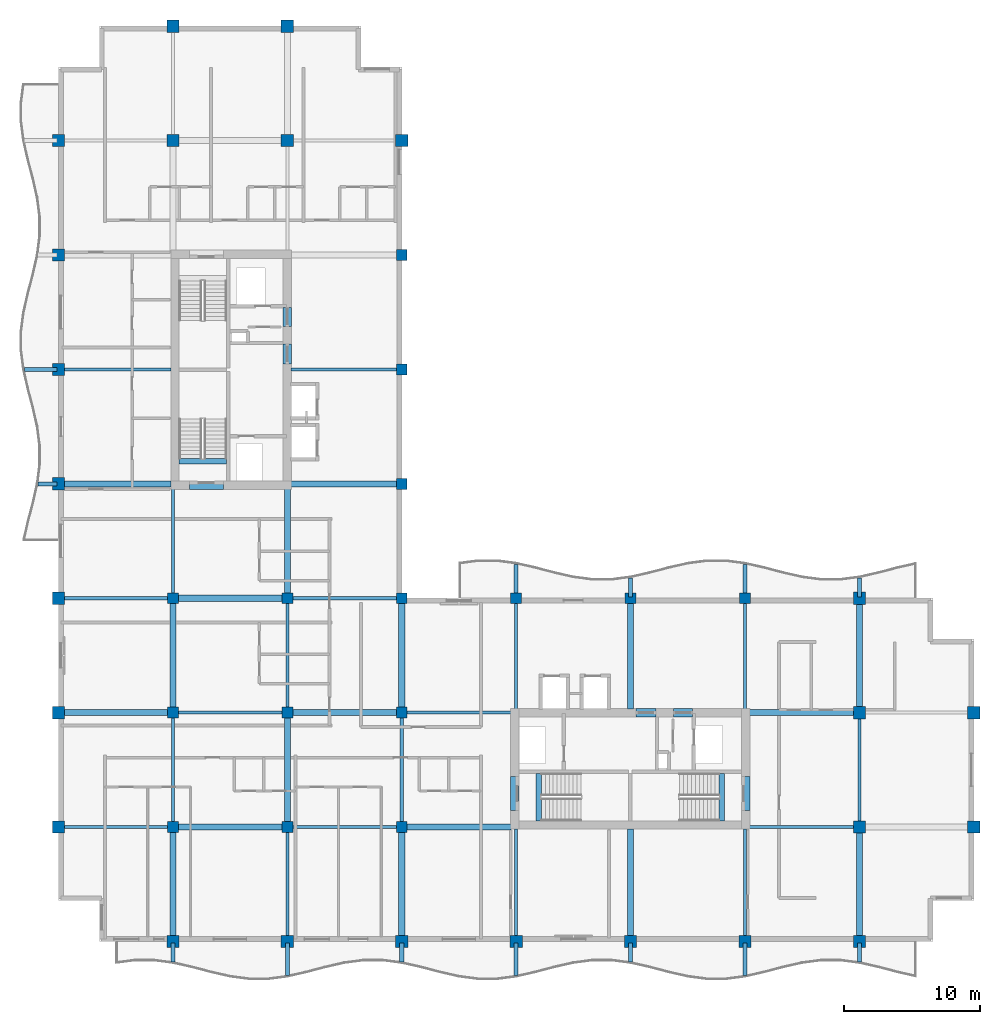
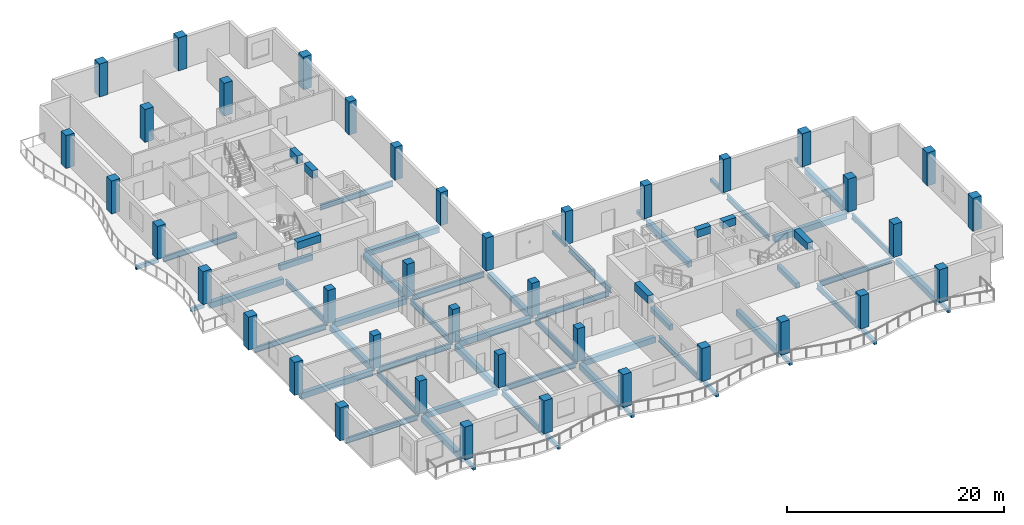
# One storey, part 1 of 12: 60 beams, 39 columns.
"""IFC4 building model written with IfcOpenShell, lengths in metres."""

from ifc_helpers import new_model, si_unit, direction, frame, origin, origin_2d, place, context, subcontext, project, spatial, rectangle, i_section, extrude, material, material_profile, profile_set, type_object, element, save


model = new_model("IFC4")

# Units and contexts
model_context = context("Model", 3, precision=1e-05, world=origin(), true_north=direction((0.0, 1.0)))
body_context = subcontext(model_context, "Body", "Model", "MODEL_VIEW")
ifc_project = project(units=[si_unit("LENGTHUNIT", "METRE"), si_unit("AREAUNIT", "SQUARE_METRE"), si_unit("VOLUMEUNIT", "CUBIC_METRE"), si_unit("PLANEANGLEUNIT", "RADIAN"), si_unit("MASSUNIT", "GRAM", prefix="KILO")], contexts=[model_context])

# Site, building, storey
site_placement = place(None, origin())
site = spatial("IfcSite", under=ifc_project, at=site_placement, CompositionType="ELEMENT")
building_placement = place(site_placement, origin())
building = spatial("IfcBuilding", under=site, at=building_placement, Name="Koriwani Terraces Tower", CompositionType="ELEMENT")
storey_placement = place(building_placement, frame((0.0, 0.0, 256.39990234375)))
storey = spatial("IfcBuildingStorey", under=building, at=storey_placement, Name="L63", CompositionType="ELEMENT", Elevation=256.39990234375)

# Columns
ifc_material_1 = material(Name="Concrete C50/60", Category="concrete")
ifc_material_profile_1 = material_profile(ifc_material_1, rectangle(XDim=0.800048828125, YDim=0.800048828125, at=origin_2d()), Name="Concrete C50/60", Category="LoadBearing")
ifc_profile_set_1 = profile_set([ifc_material_profile_1], Name="Concrete C50/60")
column_type_1 = type_object("IfcColumnType", Name="COL_RC_800X800", PredefinedType="COLUMN", material=ifc_profile_set_1)
for number, where, z_axis, x_axis, name in (
    (1, (16.800048828125, 16.800048828125, 0.0), (0.0, 0.0, 1.0), (1.0, 0.0, 0.0), "L63 Column 3/C"),
    (2, (16.800048828125, 25.199951171875, 0.0), (0.0, 0.0, 1.0), (1.0, 0.0, 0.0), "L63 Column 3/D"),
    (3, (16.800048828125, 33.60009765625, 0.0), (0.0, 0.0, 1.0), (1.0, 0.0, 0.0), "L63 Column 3/E"),
    (4, (25.199951171875, 16.800048828125, 0.0), (0.0, 0.0, 1.0), (1.0, 0.0, 0.0), "L63 Column 4/C"),
    (5, (25.199951171875, 25.199951171875, 0.0), (0.0, 0.0, 1.0), (1.0, 0.0, 0.0), "L63 Column 4/D"),
    (6, (25.199951171875, 33.60009765625, 0.0), (0.0, 0.0, 1.0), (1.0, 0.0, 0.0), "L63 Column 4/E"),
    (7, (33.60009765625, 16.800048828125, 0.0), (0.0, 0.0, 1.0), (1.0, 0.0, 0.0), "L63 Column 5/C"),
    (8, (33.60009765625, 25.199951171875, 0.0), (0.0, 0.0, 1.0), (1.0, 0.0, 0.0), "L63 Column 5/D"),
    (9, (33.60009765625, 33.60009765625, 0.0), (0.0, 0.0, 1.0), (1.0, 0.0, 0.0), "L63 Column 5/E"),
    (10, (33.60009765625, 42.0, 0.0), (0.0, 0.0, 1.0), (1.0, 0.0, 0.0), "L63 Column 5/F"),
    (11, (33.60009765625, 50.39990234375, 0.0), (0.0, 0.0, 1.0), (1.0, 0.0, 0.0), "L63 Column 5/G"),
    (12, (33.60009765625, 58.800048828125, 0.0), (0.0, 0.0, 1.0), (1.0, 0.0, 0.0), "L63 Column 5/H"),
    (13, (42.0, 33.60009765625, 0.0), (0.0, 0.0, 1.0), (1.0, 0.0, 0.0), "L63 Column 6/E"),
    (14, (50.39990234375, 33.60009765625, 0.0), (0.0, 0.0, 1.0), (1.0, 0.0, 0.0), "L63 Column 7/E"),
    (15, (58.800048828125, 33.60009765625, 0.0), (0.0, 0.0, 1.0), (1.0, 0.0, 0.0), "L63 Column 8/E"),
):
    element("IfcColumn", number, at=place(storey_placement, frame(where, z_axis=z_axis, x_axis=x_axis)), inside=storey, type_object=column_type_1, Name=name, PredefinedType="COLUMN", context=body_context, shape_type="SweptSolid", body=[
        extrude(rectangle(XDim=0.800048828125, YDim=0.800048828125, at=origin_2d()), origin(), (0.0, 0.0, 1.0), 3.7001953125),
    ])
ifc_material_profile_2 = material_profile(ifc_material_1, rectangle(XDim=0.89990234375, YDim=0.89990234375, at=origin_2d()), Name="Concrete C50/60", Category="LoadBearing")
ifc_profile_set_2 = profile_set([ifc_material_profile_2], Name="Concrete C50/60")
column_type_2 = type_object("IfcColumnType", Name="COL_RC_900X900", PredefinedType="COLUMN", material=ifc_profile_set_2)
for number, where, z_axis, x_axis, name in (
    (16, (8.39990234375, 16.800048828125, 0.0), (0.0, 0.0, 1.0), (1.0, 0.0, 0.0), "L63 Column 2/C"),
    (17, (8.39990234375, 25.199951171875, 0.0), (0.0, 0.0, 1.0), (1.0, 0.0, 0.0), "L63 Column 2/D"),
    (18, (8.39990234375, 33.60009765625, 0.0), (0.0, 0.0, 1.0), (1.0, 0.0, 0.0), "L63 Column 2/E"),
    (19, (8.39990234375, 42.0, 0.0), (0.0, 0.0, 1.0), (1.0, 0.0, 0.0), "L63 Column 2/F"),
    (20, (8.39990234375, 50.39990234375, 0.0), (0.0, 0.0, 1.0), (1.0, 0.0, 0.0), "L63 Column 2/G"),
    (21, (8.39990234375, 58.800048828125, 0.0), (0.0, 0.0, 1.0), (1.0, 0.0, 0.0), "L63 Column 2/H"),
    (22, (8.39990234375, 67.199951171875, 0.0), (0.0, 0.0, 1.0), (1.0, 0.0, 0.0), "L63 Column 2/I"),
    (23, (16.800048828125, 8.39990234375, 0.0), (0.0, 0.0, 1.0), (1.0, 0.0, 0.0), "L63 Column 3/B"),
    (24, (16.800048828125, 67.199951171875, 0.0), (0.0, 0.0, 1.0), (1.0, 0.0, 0.0), "L63 Column 3/I"),
    (25, (16.800048828125, 75.60009765625, 0.0), (0.0, 0.0, 1.0), (1.0, 0.0, 0.0), "L63 Column 3/J"),
    (26, (25.199951171875, 8.39990234375, 0.0), (0.0, 0.0, 1.0), (1.0, 0.0, 0.0), "L63 Column 4/B"),
    (27, (25.199951171875, 67.199951171875, 0.0), (0.0, 0.0, 1.0), (1.0, 0.0, 0.0), "L63 Column 4/I"),
    (28, (25.199951171875, 75.60009765625, 0.0), (0.0, 0.0, 1.0), (1.0, 0.0, 0.0), "L63 Column 4/J"),
    (29, (33.60009765625, 8.39990234375, 0.0), (0.0, 0.0, 1.0), (1.0, 0.0, 0.0), "L63 Column 5/B"),
    (30, (33.60009765625, 67.199951171875, 0.0), (0.0, 0.0, 1.0), (1.0, 0.0, 0.0), "L63 Column 5/I"),
    (31, (42.0, 8.39990234375, 0.0), (0.0, 0.0, 1.0), (1.0, 0.0, 0.0), "L63 Column 6/B"),
    (32, (50.39990234375, 8.39990234375, 0.0), (0.0, 0.0, 1.0), (1.0, 0.0, 0.0), "L63 Column 7/B"),
    (33, (58.800048828125, 8.39990234375, 0.0), (0.0, 0.0, 1.0), (1.0, 0.0, 0.0), "L63 Column 8/B"),
    (34, (67.199951171875, 8.39990234375, 0.0), (0.0, 0.0, 1.0), (1.0, 0.0, 0.0), "L63 Column 9/B"),
    (35, (67.199951171875, 16.800048828125, 0.0), (0.0, 0.0, 1.0), (1.0, 0.0, 0.0), "L63 Column 9/C"),
    (36, (67.199951171875, 25.199951171875, 0.0), (0.0, 0.0, 1.0), (1.0, 0.0, 0.0), "L63 Column 9/D"),
    (37, (67.199951171875, 33.60009765625, 0.0), (0.0, 0.0, 1.0), (1.0, 0.0, 0.0), "L63 Column 9/E"),
    (38, (75.60009765625, 16.800048828125, 0.0), (0.0, 0.0, 1.0), (1.0, 0.0, 0.0), "L63 Column 10/C"),
    (39, (75.60009765625, 25.199951171875, 0.0), (0.0, 0.0, 1.0), (1.0, 0.0, 0.0), "L63 Column 10/D"),
):
    element("IfcColumn", number, at=place(storey_placement, frame(where, z_axis=z_axis, x_axis=x_axis)), inside=storey, type_object=column_type_2, Name=name, PredefinedType="COLUMN", context=body_context, shape_type="SweptSolid", body=[
        extrude(rectangle(XDim=0.89990234375, YDim=0.89990234375, at=origin_2d()), origin(), (0.0, 0.0, 1.0), 3.7001953125),
    ])

# Beams
ifc_material_2 = material(Name="Concrete C40/50", Category="concrete")
ifc_material_profile_3 = material_profile(ifc_material_2, rectangle(XDim=0.300048828125, YDim=0.39990234375, at=origin_2d()), Name="Concrete C40/50", Category="LoadBearing")
ifc_profile_set_3 = profile_set([ifc_material_profile_3], Name="Concrete C40/50")
beam_type_1 = type_object("IfcBeamType", Name="BEAM_RC_BALCONY_RIB_300X400", PredefinedType="JOIST", material=ifc_profile_set_3)
beam_1_placement = place(storey_placement, frame((16.800048828125, 6.912109375, -0.429931640625), z_axis=(0.0, 1.0, 0.0), x_axis=(-1.0, 0.0, 0.0)))
element("IfcBeam", 40, at=beam_1_placement, inside=storey, type_object=beam_type_1, Name="L63 Balcony Bracket Rib S-1", PredefinedType="JOIST", context=body_context, shape_type="SweptSolid", body=[
    extrude(rectangle(XDim=0.300048828125, YDim=0.39990234375, at=origin_2d()), origin(), (0.0, 0.0, 1.0), 1.387939453125),
])
beam_2_placement = place(storey_placement, frame((25.199951171875, 5.907958984375, -0.429931640625), z_axis=(0.0, 1.0, 0.0), x_axis=(-1.0, 0.0, 0.0)))
element("IfcBeam", 41, at=beam_2_placement, inside=storey, type_object=beam_type_1, Name="L63 Balcony Bracket Rib S-2", PredefinedType="JOIST", context=body_context, shape_type="SweptSolid", body=[
    extrude(rectangle(XDim=0.300048828125, YDim=0.39990234375, at=origin_2d()), origin(), (0.0, 0.0, 1.0), 2.39208984375),
])
beam_3_placement = place(storey_placement, frame((33.60009765625, 6.912109375, -0.429931640625), z_axis=(0.0, 1.0, 0.0), x_axis=(-1.0, 0.0, 0.0)))
element("IfcBeam", 42, at=beam_3_placement, inside=storey, type_object=beam_type_1, Name="L63 Balcony Bracket Rib S-3", PredefinedType="JOIST", context=body_context, shape_type="SweptSolid", body=[
    extrude(rectangle(XDim=0.300048828125, YDim=0.39990234375, at=origin_2d()), origin(), (0.0, 0.0, 1.0), 1.387939453125),
])
beam_4_placement = place(storey_placement, frame((42.0, 5.907958984375, -0.429931640625), z_axis=(0.0, 1.0, 0.0), x_axis=(-1.0, 0.0, 0.0)))
element("IfcBeam", 43, at=beam_4_placement, inside=storey, type_object=beam_type_1, Name="L63 Balcony Bracket Rib S-4", PredefinedType="JOIST", context=body_context, shape_type="SweptSolid", body=[
    extrude(rectangle(XDim=0.300048828125, YDim=0.39990234375, at=origin_2d()), origin(), (0.0, 0.0, 1.0), 2.39208984375),
])
beam_5_placement = place(storey_placement, frame((50.39990234375, 6.912109375, -0.429931640625), z_axis=(0.0, 1.0, 0.0), x_axis=(-1.0, 0.0, 0.0)))
element("IfcBeam", 44, at=beam_5_placement, inside=storey, type_object=beam_type_1, Name="L63 Balcony Bracket Rib S-5", PredefinedType="JOIST", context=body_context, shape_type="SweptSolid", body=[
    extrude(rectangle(XDim=0.300048828125, YDim=0.39990234375, at=origin_2d()), origin(), (0.0, 0.0, 1.0), 1.387939453125),
])
beam_6_placement = place(storey_placement, frame((58.800048828125, 5.907958984375, -0.429931640625), z_axis=(0.0, 1.0, 0.0), x_axis=(-1.0, 0.0, 0.0)))
element("IfcBeam", 45, at=beam_6_placement, inside=storey, type_object=beam_type_1, Name="L63 Balcony Bracket Rib S-6", PredefinedType="JOIST", context=body_context, shape_type="SweptSolid", body=[
    extrude(rectangle(XDim=0.300048828125, YDim=0.39990234375, at=origin_2d()), origin(), (0.0, 0.0, 1.0), 2.39208984375),
])
for number, where, z_axis, x_axis, name in (
    (46, (67.199951171875, 6.912109375, -0.429931640625), (0.0, 1.0, 0.0), (-1.0, 0.0, 0.0), "L63 Balcony Bracket Rib S-7"),
    (47, (6.912109375, 42.0, -0.429931640625), (1.0, 0.0, 0.0), (0.0, 1.0, 0.0), "L63 Balcony Bracket Rib W-1"),
):
    element("IfcBeam", number, at=place(storey_placement, frame(where, z_axis=z_axis, x_axis=x_axis)), inside=storey, type_object=beam_type_1, Name=name, PredefinedType="JOIST", context=body_context, shape_type="SweptSolid", body=[
        extrude(rectangle(XDim=0.300048828125, YDim=0.39990234375, at=origin_2d()), origin(), (0.0, 0.0, 1.0), 1.387939453125),
    ])
for number, where, z_axis, x_axis, name in (
    (48, (5.907958984375, 50.39990234375, -0.429931640625), (1.0, 0.0, 0.0), (0.0, 1.0, 0.0), "L63 Balcony Bracket Rib W-2"),
    (49, (42.0, 33.699951171875, -0.429931640625), (0.0, 1.0, 0.0), (-1.0, 0.0, 0.0), "L63 Balcony Bracket Rib NE-1"),
):
    element("IfcBeam", number, at=place(storey_placement, frame(where, z_axis=z_axis, x_axis=x_axis)), inside=storey, type_object=beam_type_1, Name=name, PredefinedType="JOIST", context=body_context, shape_type="SweptSolid", body=[
        extrude(rectangle(XDim=0.300048828125, YDim=0.39990234375, at=origin_2d()), origin(), (0.0, 0.0, 1.0), 2.39208984375),
    ])
beam_7_placement = place(storey_placement, frame((50.39990234375, 33.699951171875, -0.429931640625), z_axis=(0.0, 1.0, 0.0), x_axis=(-1.0, 0.0, 0.0)))
element("IfcBeam", 50, at=beam_7_placement, inside=storey, type_object=beam_type_1, Name="L63 Balcony Bracket Rib NE-2", PredefinedType="JOIST", context=body_context, shape_type="SweptSolid", body=[
    extrude(rectangle(XDim=0.300048828125, YDim=0.39990234375, at=origin_2d()), origin(), (0.0, 0.0, 1.0), 1.387939453125),
])
beam_8_placement = place(storey_placement, frame((58.800048828125, 33.699951171875, -0.429931640625), z_axis=(0.0, 1.0, 0.0), x_axis=(-1.0, 0.0, 0.0)))
element("IfcBeam", 51, at=beam_8_placement, inside=storey, type_object=beam_type_1, Name="L63 Balcony Bracket Rib NE-3", PredefinedType="JOIST", context=body_context, shape_type="SweptSolid", body=[
    extrude(rectangle(XDim=0.300048828125, YDim=0.39990234375, at=origin_2d()), origin(), (0.0, 0.0, 1.0), 2.39208984375),
])
beam_9_placement = place(storey_placement, frame((67.199951171875, 33.699951171875, -0.429931640625), z_axis=(0.0, 1.0, 0.0), x_axis=(-1.0, 0.0, 0.0)))
element("IfcBeam", 52, at=beam_9_placement, inside=storey, type_object=beam_type_1, Name="L63 Balcony Bracket Rib NE-4", PredefinedType="JOIST", context=body_context, shape_type="SweptSolid", body=[
    extrude(rectangle(XDim=0.300048828125, YDim=0.39990234375, at=origin_2d()), origin(), (0.0, 0.0, 1.0), 1.387939453125),
])
ifc_material_profile_4 = material_profile(ifc_material_1, rectangle(XDim=0.60009765625, YDim=0.85009765625, at=origin_2d()), Name="Concrete C50/60", Category="LoadBearing")
ifc_profile_set_4 = profile_set([ifc_material_profile_4], Name="Concrete C50/60")
beam_type_2 = type_object("IfcBeamType", Name="BEAM_RC_COUPLING_600X850", PredefinedType="LINTEL", material=ifc_profile_set_4)
beam_10_placement = place(storey_placement, frame((25.199951171875, 50.800048828125, 3.045166015625), z_axis=(0.0, 1.0, 0.0), x_axis=(-1.0, 0.0, 0.0)))
element("IfcBeam", 53, at=beam_10_placement, inside=storey, type_object=beam_type_2, Name="L63 Core Coupling Lintel Beam WE1", PredefinedType="LINTEL", context=body_context, shape_type="SweptSolid", body=[
    extrude(rectangle(XDim=0.60009765625, YDim=0.85009765625, at=origin_2d()), origin(), (0.0, 0.0, 1.0), 1.47998046875),
])
beam_11_placement = place(storey_placement, frame((25.199951171875, 53.550048828125, 3.045166015625), z_axis=(0.0, 1.0, 0.0), x_axis=(-1.0, 0.0, 0.0)))
element("IfcBeam", 54, at=beam_11_placement, inside=storey, type_object=beam_type_2, Name="L63 Core Coupling Lintel Beam WE2", PredefinedType="LINTEL", context=body_context, shape_type="SweptSolid", body=[
    extrude(rectangle(XDim=0.60009765625, YDim=0.85009765625, at=origin_2d()), origin(), (0.0, 0.0, 1.0), 1.39990234375),
])
beam_12_placement = place(storey_placement, frame((18.0, 41.89990234375, 3.045166015625), z_axis=(1.0, 0.0, 0.0), x_axis=(0.0, 1.0, 0.0)))
element("IfcBeam", 55, at=beam_12_placement, inside=storey, type_object=beam_type_2, Name="L63 Core Coupling Lintel Beam WS", PredefinedType="LINTEL", context=body_context, shape_type="SweptSolid", body=[
    extrude(rectangle(XDim=0.60009765625, YDim=0.85009765625, at=origin_2d()), origin(), (0.0, 0.0, 1.0), 2.5),
])
beam_13_placement = place(storey_placement, frame((50.800048828125, 25.199951171875, 3.045166015625), z_axis=(1.0, 0.0, 0.0), x_axis=(0.0, 1.0, 0.0)))
element("IfcBeam", 56, at=beam_13_placement, inside=storey, type_object=beam_type_2, Name="L63 Core Coupling Lintel Beam EN1", PredefinedType="LINTEL", context=body_context, shape_type="SweptSolid", body=[
    extrude(rectangle(XDim=0.60009765625, YDim=0.85009765625, at=origin_2d()), origin(), (0.0, 0.0, 1.0), 1.47998046875),
])
beam_14_placement = place(storey_placement, frame((53.550048828125, 25.199951171875, 3.045166015625), z_axis=(1.0, 0.0, 0.0), x_axis=(0.0, 1.0, 0.0)))
element("IfcBeam", 57, at=beam_14_placement, inside=storey, type_object=beam_type_2, Name="L63 Core Coupling Lintel Beam EN2", PredefinedType="LINTEL", context=body_context, shape_type="SweptSolid", body=[
    extrude(rectangle(XDim=0.60009765625, YDim=0.85009765625, at=origin_2d()), origin(), (0.0, 0.0, 1.0), 1.39990234375),
])
for number, where, z_axis, x_axis, name in (
    (58, (41.89990234375, 18.0, 3.045166015625), (0.0, 1.0, 0.0), (-1.0, 0.0, 0.0), "L63 Core Coupling Lintel Beam EW"),
    (59, (58.85009765625, 18.0, 3.045166015625), (0.0, 1.0, 0.0), (-1.0, 0.0, 0.0), "L63 Core Coupling Lintel Beam EE"),
):
    element("IfcBeam", number, at=place(storey_placement, frame(where, z_axis=z_axis, x_axis=x_axis)), inside=storey, type_object=beam_type_2, Name=name, PredefinedType="LINTEL", context=body_context, shape_type="SweptSolid", body=[
        extrude(rectangle(XDim=0.60009765625, YDim=0.85009765625, at=origin_2d()), origin(), (0.0, 0.0, 1.0), 2.5),
    ])
ifc_material_profile_5 = material_profile(ifc_material_2, rectangle(XDim=0.39990234375, YDim=0.60009765625, at=origin_2d()), Name="Concrete C40/50", Category="LoadBearing")
ifc_profile_set_5 = profile_set([ifc_material_profile_5], Name="Concrete C40/50")
beam_type_3 = type_object("IfcBeamType", Name="BEAM_RC_GRID_400X600", PredefinedType="BEAM", material=ifc_profile_set_5)
for number, where, z_axis, x_axis, name in (
    (60, (17.25, 43.655029296875, -0.2998046875), (1.0, 0.0, 0.0), (0.0, 1.0, 0.0), "L63 Stairwell Header Trimmer Beam ST-W1"),
    (61, (43.655029296875, 17.25, -0.2998046875), (0.0, 1.0, 0.0), (-1.0, 0.0, 0.0), "L63 Stairwell Header Trimmer Beam ST-E1"),
    (62, (57.094970703125, 17.25, -0.2998046875), (0.0, 1.0, 0.0), (-1.0, 0.0, 0.0), "L63 Stairwell Header Trimmer Beam ST-E2"),
):
    element("IfcBeam", number, at=place(storey_placement, frame(where, z_axis=z_axis, x_axis=x_axis)), inside=storey, type_object=beam_type_3, Name=name, PredefinedType="BEAM", context=body_context, shape_type="SweptSolid", body=[
        extrude(rectangle(XDim=0.39990234375, YDim=0.60009765625, at=origin_2d()), origin(), (0.0, 0.0, 1.0), 3.5),
    ])
ifc_material_profile_6 = material_profile(ifc_material_1, rectangle(XDim=0.449951171875, YDim=0.64990234375, at=origin_2d()), Name="Concrete C50/60", Category="LoadBearing")
ifc_profile_set_6 = profile_set([ifc_material_profile_6], Name="Concrete C50/60")
beam_type_4 = type_object("IfcBeamType", Name="BEAM_RC_GRID_450X650", PredefinedType="BEAM", material=ifc_profile_set_6)
for number, where, z_axis, x_axis, name in (
    (63, (17.179931640625, 16.800048828125, -0.554931640625), (1.0, 0.0, 0.0), (0.0, 1.0, 0.0), "L63 Grid Beam C (16.8-25.2m)"),
    (64, (33.97998046875, 16.800048828125, -0.554931640625), (1.0, 0.0, 0.0), (0.0, 1.0, 0.0), "L63 Grid Beam C (33.6-42.0m)"),
):
    element("IfcBeam", number, at=place(storey_placement, frame(where, z_axis=z_axis, x_axis=x_axis)), inside=storey, type_object=beam_type_4, Name=name, PredefinedType="BEAM", context=body_context, shape_type="SweptSolid", body=[
        extrude(rectangle(XDim=0.449951171875, YDim=0.64990234375, at=origin_2d()), origin(), (0.0, 0.0, 1.0), 7.64013671875),
    ])
beam_15_placement = place(storey_placement, frame((8.830078125, 25.199951171875, -0.554931640625), z_axis=(1.0, 0.0, 0.0), x_axis=(0.0, 1.0, 0.0)))
element("IfcBeam", 65, at=beam_15_placement, inside=storey, type_object=beam_type_4, Name="L63 Grid Beam D (8.4-16.8m)", PredefinedType="BEAM", context=body_context, shape_type="SweptSolid", body=[
    extrude(rectangle(XDim=0.449951171875, YDim=0.64990234375, at=origin_2d()), origin(), (0.0, 0.0, 1.0), 7.58984375),
])
beam_16_placement = place(storey_placement, frame((25.580078125, 25.199951171875, -0.554931640625), z_axis=(1.0, 0.0, 0.0), x_axis=(0.0, 1.0, 0.0)))
element("IfcBeam", 66, at=beam_16_placement, inside=storey, type_object=beam_type_4, Name="L63 Grid Beam D (25.2-33.6m)", PredefinedType="BEAM", context=body_context, shape_type="SweptSolid", body=[
    extrude(rectangle(XDim=0.449951171875, YDim=0.64990234375, at=origin_2d()), origin(), (0.0, 0.0, 1.0), 7.639892578125),
])
for number, where, z_axis, x_axis, name in (
    (67, (59.1298828125, 25.199951171875, -0.554931640625), (1.0, 0.0, 0.0), (0.0, 1.0, 0.0), "L63 Grid Beam D (58.8-67.2m)"),
    (68, (17.179931640625, 33.60009765625, -0.554931640625), (1.0, 0.0, 0.0), (0.0, 1.0, 0.0), "L63 Grid Beam E (16.8-25.2m)"),
):
    element("IfcBeam", number, at=place(storey_placement, frame(where, z_axis=z_axis, x_axis=x_axis)), inside=storey, type_object=beam_type_4, Name=name, PredefinedType="BEAM", context=body_context, shape_type="SweptSolid", body=[
        extrude(rectangle(XDim=0.449951171875, YDim=0.64990234375, at=origin_2d()), origin(), (0.0, 0.0, 1.0), 7.64013671875),
    ])
beam_17_placement = place(storey_placement, frame((8.830078125, 42.0, -0.554931640625), z_axis=(1.0, 0.0, 0.0), x_axis=(0.0, 1.0, 0.0)))
element("IfcBeam", 69, at=beam_17_placement, inside=storey, type_object=beam_type_4, Name="L63 Grid Beam F (8.4-16.8m)", PredefinedType="BEAM", context=body_context, shape_type="SweptSolid", body=[
    extrude(rectangle(XDim=0.449951171875, YDim=0.64990234375, at=origin_2d()), origin(), (0.0, 0.0, 1.0), 7.83984375),
])
beam_18_placement = place(storey_placement, frame((25.47998046875, 42.0, -0.554931640625), z_axis=(1.0, 0.0, 0.0), x_axis=(0.0, 1.0, 0.0)))
element("IfcBeam", 70, at=beam_18_placement, inside=storey, type_object=beam_type_4, Name="L63 Grid Beam F (25.2-33.6m)", PredefinedType="BEAM", context=body_context, shape_type="SweptSolid", body=[
    extrude(rectangle(XDim=0.449951171875, YDim=0.64990234375, at=origin_2d()), origin(), (0.0, 0.0, 1.0), 7.739990234375),
])
beam_19_placement = place(storey_placement, frame((16.800048828125, 8.830078125, -0.554931640625), z_axis=(0.0, 1.0, 0.0), x_axis=(-1.0, 0.0, 0.0)))
element("IfcBeam", 71, at=beam_19_placement, inside=storey, type_object=beam_type_4, Name="L63 Grid Beam 3 (8.4-16.8m)", PredefinedType="BEAM", context=body_context, shape_type="SweptSolid", body=[
    extrude(rectangle(XDim=0.449951171875, YDim=0.64990234375, at=origin_2d()), origin(), (0.0, 0.0, 1.0), 7.58984375),
])
beam_20_placement = place(storey_placement, frame((16.800048828125, 25.580078125, -0.554931640625), z_axis=(0.0, 1.0, 0.0), x_axis=(-1.0, 0.0, 0.0)))
element("IfcBeam", 72, at=beam_20_placement, inside=storey, type_object=beam_type_4, Name="L63 Grid Beam 3 (25.2-33.6m)", PredefinedType="BEAM", context=body_context, shape_type="SweptSolid", body=[
    extrude(rectangle(XDim=0.449951171875, YDim=0.64990234375, at=origin_2d()), origin(), (0.0, 0.0, 1.0), 7.639892578125),
])
for number, where, z_axis, x_axis, name in (
    (73, (25.199951171875, 17.179931640625, -0.554931640625), (0.0, 1.0, 0.0), (-1.0, 0.0, 0.0), "L63 Grid Beam 4 (16.8-25.2m)"),
    (74, (25.199951171875, 33.97998046875, -0.554931640625), (0.0, 1.0, 0.0), (-1.0, 0.0, 0.0), "L63 Grid Beam 4 (33.6-42.0m)"),
):
    element("IfcBeam", number, at=place(storey_placement, frame(where, z_axis=z_axis, x_axis=x_axis)), inside=storey, type_object=beam_type_4, Name=name, PredefinedType="BEAM", context=body_context, shape_type="SweptSolid", body=[
        extrude(rectangle(XDim=0.449951171875, YDim=0.64990234375, at=origin_2d()), origin(), (0.0, 0.0, 1.0), 7.64013671875),
    ])
beam_21_placement = place(storey_placement, frame((33.60009765625, 8.830078125, -0.554931640625), z_axis=(0.0, 1.0, 0.0), x_axis=(-1.0, 0.0, 0.0)))
element("IfcBeam", 75, at=beam_21_placement, inside=storey, type_object=beam_type_4, Name="L63 Grid Beam 5 (8.4-16.8m)", PredefinedType="BEAM", context=body_context, shape_type="SweptSolid", body=[
    extrude(rectangle(XDim=0.449951171875, YDim=0.64990234375, at=origin_2d()), origin(), (0.0, 0.0, 1.0), 7.58984375),
])
beam_22_placement = place(storey_placement, frame((33.60009765625, 25.580078125, -0.554931640625), z_axis=(0.0, 1.0, 0.0), x_axis=(-1.0, 0.0, 0.0)))
element("IfcBeam", 76, at=beam_22_placement, inside=storey, type_object=beam_type_4, Name="L63 Grid Beam 5 (25.2-33.6m)", PredefinedType="BEAM", context=body_context, shape_type="SweptSolid", body=[
    extrude(rectangle(XDim=0.449951171875, YDim=0.64990234375, at=origin_2d()), origin(), (0.0, 0.0, 1.0), 7.639892578125),
])
beam_23_placement = place(storey_placement, frame((50.39990234375, 8.830078125, -0.554931640625), z_axis=(0.0, 1.0, 0.0), x_axis=(-1.0, 0.0, 0.0)))
element("IfcBeam", 77, at=beam_23_placement, inside=storey, type_object=beam_type_4, Name="L63 Grid Beam 7 (8.4-16.8m)", PredefinedType="BEAM", context=body_context, shape_type="SweptSolid", body=[
    extrude(rectangle(XDim=0.449951171875, YDim=0.64990234375, at=origin_2d()), origin(), (0.0, 0.0, 1.0), 7.83984375),
])
beam_24_placement = place(storey_placement, frame((50.39990234375, 25.47998046875, -0.554931640625), z_axis=(0.0, 1.0, 0.0), x_axis=(-1.0, 0.0, 0.0)))
element("IfcBeam", 78, at=beam_24_placement, inside=storey, type_object=beam_type_4, Name="L63 Grid Beam 7 (25.2-33.6m)", PredefinedType="BEAM", context=body_context, shape_type="SweptSolid", body=[
    extrude(rectangle(XDim=0.449951171875, YDim=0.64990234375, at=origin_2d()), origin(), (0.0, 0.0, 1.0), 7.739990234375),
])
for number, where, z_axis, x_axis, name in (
    (79, (67.199951171875, 8.830078125, -0.554931640625), (0.0, 1.0, 0.0), (-1.0, 0.0, 0.0), "L63 Grid Beam 9 (8.4-16.8m)"),
    (80, (67.199951171875, 25.6298828125, -0.554931640625), (0.0, 1.0, 0.0), (-1.0, 0.0, 0.0), "L63 Grid Beam 9 (25.2-33.6m)"),
):
    element("IfcBeam", number, at=place(storey_placement, frame(where, z_axis=z_axis, x_axis=x_axis)), inside=storey, type_object=beam_type_4, Name=name, PredefinedType="BEAM", context=body_context, shape_type="SweptSolid", body=[
        extrude(rectangle(XDim=0.449951171875, YDim=0.64990234375, at=origin_2d()), origin(), (0.0, 0.0, 1.0), 7.5400390625),
    ])
ifc_material_3 = material(Name="Steel ASTM A572 Grade 50", Category="steel")
ifc_material_profile_7 = material_profile(ifc_material_3, i_section(OverallWidth=0.22900390625, OverallDepth=0.611083984375, WebThickness=0.0126953125, FlangeThickness=0.022216796875, at=origin_2d()), Name="Steel ASTM A572 Grade 50", Category="LoadBearing")
ifc_profile_set_7 = profile_set([ifc_material_profile_7], Name="Steel ASTM A572 Grade 50")
beam_type_5 = type_object("IfcBeamType", Name="STEEL_BEAM_W610X155", PredefinedType="BEAM", material=ifc_profile_set_7)
beam_25_placement = place(storey_placement, frame((8.830078125, 16.800048828125, -0.535400390625), z_axis=(1.0, 0.0, 0.0), x_axis=(0.0, 1.0, 0.0)))
element("IfcBeam", 81, at=beam_25_placement, inside=storey, type_object=beam_type_5, Name="L63 Grid Beam C (8.4-16.8m)", PredefinedType="BEAM", context=body_context, shape_type="SweptSolid", body=[
    extrude(i_section(OverallWidth=0.22900390625, OverallDepth=0.611083984375, WebThickness=0.0126953125, FlangeThickness=0.022216796875, at=origin_2d()), origin(), (0.0, 0.0, 1.0), 7.58984375),
])
beam_26_placement = place(storey_placement, frame((25.580078125, 16.800048828125, -0.535400390625), z_axis=(1.0, 0.0, 0.0), x_axis=(0.0, 1.0, 0.0)))
element("IfcBeam", 82, at=beam_26_placement, inside=storey, type_object=beam_type_5, Name="L63 Grid Beam C (25.2-33.6m)", PredefinedType="BEAM", context=body_context, shape_type="SweptSolid", body=[
    extrude(i_section(OverallWidth=0.22900390625, OverallDepth=0.611083984375, WebThickness=0.0126953125, FlangeThickness=0.022216796875, at=origin_2d()), origin(), (0.0, 0.0, 1.0), 7.639892578125),
])
for number, where, z_axis, x_axis, name in (
    (83, (59.1298828125, 16.800048828125, -0.535400390625), (1.0, 0.0, 0.0), (0.0, 1.0, 0.0), "L63 Grid Beam C (58.8-67.2m)"),
    (84, (17.179931640625, 25.199951171875, -0.535400390625), (1.0, 0.0, 0.0), (0.0, 1.0, 0.0), "L63 Grid Beam D (16.8-25.2m)"),
    (85, (33.97998046875, 25.199951171875, -0.535400390625), (1.0, 0.0, 0.0), (0.0, 1.0, 0.0), "L63 Grid Beam D (33.6-42.0m)"),
):
    element("IfcBeam", number, at=place(storey_placement, frame(where, z_axis=z_axis, x_axis=x_axis)), inside=storey, type_object=beam_type_5, Name=name, PredefinedType="BEAM", context=body_context, shape_type="SweptSolid", body=[
        extrude(i_section(OverallWidth=0.22900390625, OverallDepth=0.611083984375, WebThickness=0.0126953125, FlangeThickness=0.022216796875, at=origin_2d()), origin(), (0.0, 0.0, 1.0), 7.64013671875),
    ])
beam_27_placement = place(storey_placement, frame((8.830078125, 33.60009765625, -0.535400390625), z_axis=(1.0, 0.0, 0.0), x_axis=(0.0, 1.0, 0.0)))
element("IfcBeam", 86, at=beam_27_placement, inside=storey, type_object=beam_type_5, Name="L63 Grid Beam E (8.4-16.8m)", PredefinedType="BEAM", context=body_context, shape_type="SweptSolid", body=[
    extrude(i_section(OverallWidth=0.22900390625, OverallDepth=0.611083984375, WebThickness=0.0126953125, FlangeThickness=0.022216796875, at=origin_2d()), origin(), (0.0, 0.0, 1.0), 7.58984375),
])
beam_28_placement = place(storey_placement, frame((25.580078125, 33.60009765625, -0.535400390625), z_axis=(1.0, 0.0, 0.0), x_axis=(0.0, 1.0, 0.0)))
element("IfcBeam", 87, at=beam_28_placement, inside=storey, type_object=beam_type_5, Name="L63 Grid Beam E (25.2-33.6m)", PredefinedType="BEAM", context=body_context, shape_type="SweptSolid", body=[
    extrude(i_section(OverallWidth=0.22900390625, OverallDepth=0.611083984375, WebThickness=0.0126953125, FlangeThickness=0.022216796875, at=origin_2d()), origin(), (0.0, 0.0, 1.0), 7.639892578125),
])
beam_29_placement = place(storey_placement, frame((8.830078125, 50.39990234375, -0.535400390625), z_axis=(1.0, 0.0, 0.0), x_axis=(0.0, 1.0, 0.0)))
element("IfcBeam", 88, at=beam_29_placement, inside=storey, type_object=beam_type_5, Name="L63 Grid Beam G (8.4-16.8m)", PredefinedType="BEAM", context=body_context, shape_type="SweptSolid", body=[
    extrude(i_section(OverallWidth=0.22900390625, OverallDepth=0.611083984375, WebThickness=0.0126953125, FlangeThickness=0.022216796875, at=origin_2d()), origin(), (0.0, 0.0, 1.0), 7.83984375),
])
beam_30_placement = place(storey_placement, frame((25.47998046875, 50.39990234375, -0.535400390625), z_axis=(1.0, 0.0, 0.0), x_axis=(0.0, 1.0, 0.0)))
element("IfcBeam", 89, at=beam_30_placement, inside=storey, type_object=beam_type_5, Name="L63 Grid Beam G (25.2-33.6m)", PredefinedType="BEAM", context=body_context, shape_type="SweptSolid", body=[
    extrude(i_section(OverallWidth=0.22900390625, OverallDepth=0.611083984375, WebThickness=0.0126953125, FlangeThickness=0.022216796875, at=origin_2d()), origin(), (0.0, 0.0, 1.0), 7.739990234375),
])
for number, where, z_axis, x_axis, name in (
    (90, (16.800048828125, 17.179931640625, -0.535400390625), (0.0, 1.0, 0.0), (-1.0, 0.0, 0.0), "L63 Grid Beam 3 (16.8-25.2m)"),
    (91, (16.800048828125, 33.97998046875, -0.535400390625), (0.0, 1.0, 0.0), (-1.0, 0.0, 0.0), "L63 Grid Beam 3 (33.6-42.0m)"),
):
    element("IfcBeam", number, at=place(storey_placement, frame(where, z_axis=z_axis, x_axis=x_axis)), inside=storey, type_object=beam_type_5, Name=name, PredefinedType="BEAM", context=body_context, shape_type="SweptSolid", body=[
        extrude(i_section(OverallWidth=0.22900390625, OverallDepth=0.611083984375, WebThickness=0.0126953125, FlangeThickness=0.022216796875, at=origin_2d()), origin(), (0.0, 0.0, 1.0), 7.64013671875),
    ])
beam_31_placement = place(storey_placement, frame((25.199951171875, 8.830078125, -0.535400390625), z_axis=(0.0, 1.0, 0.0), x_axis=(-1.0, 0.0, 0.0)))
element("IfcBeam", 92, at=beam_31_placement, inside=storey, type_object=beam_type_5, Name="L63 Grid Beam 4 (8.4-16.8m)", PredefinedType="BEAM", context=body_context, shape_type="SweptSolid", body=[
    extrude(i_section(OverallWidth=0.22900390625, OverallDepth=0.611083984375, WebThickness=0.0126953125, FlangeThickness=0.022216796875, at=origin_2d()), origin(), (0.0, 0.0, 1.0), 7.58984375),
])
beam_32_placement = place(storey_placement, frame((25.199951171875, 25.580078125, -0.535400390625), z_axis=(0.0, 1.0, 0.0), x_axis=(-1.0, 0.0, 0.0)))
element("IfcBeam", 93, at=beam_32_placement, inside=storey, type_object=beam_type_5, Name="L63 Grid Beam 4 (25.2-33.6m)", PredefinedType="BEAM", context=body_context, shape_type="SweptSolid", body=[
    extrude(i_section(OverallWidth=0.22900390625, OverallDepth=0.611083984375, WebThickness=0.0126953125, FlangeThickness=0.022216796875, at=origin_2d()), origin(), (0.0, 0.0, 1.0), 7.639892578125),
])
beam_33_placement = place(storey_placement, frame((33.60009765625, 17.179931640625, -0.535400390625), z_axis=(0.0, 1.0, 0.0), x_axis=(-1.0, 0.0, 0.0)))
element("IfcBeam", 94, at=beam_33_placement, inside=storey, type_object=beam_type_5, Name="L63 Grid Beam 5 (16.8-25.2m)", PredefinedType="BEAM", context=body_context, shape_type="SweptSolid", body=[
    extrude(i_section(OverallWidth=0.22900390625, OverallDepth=0.611083984375, WebThickness=0.0126953125, FlangeThickness=0.022216796875, at=origin_2d()), origin(), (0.0, 0.0, 1.0), 7.64013671875),
])
beam_34_placement = place(storey_placement, frame((42.0, 8.830078125, -0.535400390625), z_axis=(0.0, 1.0, 0.0), x_axis=(-1.0, 0.0, 0.0)))
element("IfcBeam", 95, at=beam_34_placement, inside=storey, type_object=beam_type_5, Name="L63 Grid Beam 6 (8.4-16.8m)", PredefinedType="BEAM", context=body_context, shape_type="SweptSolid", body=[
    extrude(i_section(OverallWidth=0.22900390625, OverallDepth=0.611083984375, WebThickness=0.0126953125, FlangeThickness=0.022216796875, at=origin_2d()), origin(), (0.0, 0.0, 1.0), 7.83984375),
])
beam_35_placement = place(storey_placement, frame((42.0, 25.47998046875, -0.535400390625), z_axis=(0.0, 1.0, 0.0), x_axis=(-1.0, 0.0, 0.0)))
element("IfcBeam", 96, at=beam_35_placement, inside=storey, type_object=beam_type_5, Name="L63 Grid Beam 6 (25.2-33.6m)", PredefinedType="BEAM", context=body_context, shape_type="SweptSolid", body=[
    extrude(i_section(OverallWidth=0.22900390625, OverallDepth=0.611083984375, WebThickness=0.0126953125, FlangeThickness=0.022216796875, at=origin_2d()), origin(), (0.0, 0.0, 1.0), 7.739990234375),
])
beam_36_placement = place(storey_placement, frame((58.800048828125, 8.830078125, -0.535400390625), z_axis=(0.0, 1.0, 0.0), x_axis=(-1.0, 0.0, 0.0)))
element("IfcBeam", 97, at=beam_36_placement, inside=storey, type_object=beam_type_5, Name="L63 Grid Beam 8 (8.4-16.8m)", PredefinedType="BEAM", context=body_context, shape_type="SweptSolid", body=[
    extrude(i_section(OverallWidth=0.22900390625, OverallDepth=0.611083984375, WebThickness=0.0126953125, FlangeThickness=0.022216796875, at=origin_2d()), origin(), (0.0, 0.0, 1.0), 7.83984375),
])
beam_37_placement = place(storey_placement, frame((58.800048828125, 25.47998046875, -0.535400390625), z_axis=(0.0, 1.0, 0.0), x_axis=(-1.0, 0.0, 0.0)))
element("IfcBeam", 98, at=beam_37_placement, inside=storey, type_object=beam_type_5, Name="L63 Grid Beam 8 (25.2-33.6m)", PredefinedType="BEAM", context=body_context, shape_type="SweptSolid", body=[
    extrude(i_section(OverallWidth=0.22900390625, OverallDepth=0.611083984375, WebThickness=0.0126953125, FlangeThickness=0.022216796875, at=origin_2d()), origin(), (0.0, 0.0, 1.0), 7.739990234375),
])
beam_38_placement = place(storey_placement, frame((67.199951171875, 17.22998046875, -0.535400390625), z_axis=(0.0, 1.0, 0.0), x_axis=(-1.0, 0.0, 0.0)))
element("IfcBeam", 99, at=beam_38_placement, inside=storey, type_object=beam_type_5, Name="L63 Grid Beam 9 (16.8-25.2m)", PredefinedType="BEAM", context=body_context, shape_type="SweptSolid", body=[
    extrude(i_section(OverallWidth=0.22900390625, OverallDepth=0.611083984375, WebThickness=0.0126953125, FlangeThickness=0.022216796875, at=origin_2d()), origin(), (0.0, 0.0, 1.0), 7.5400390625),
])

save(model, "model.ifc")
